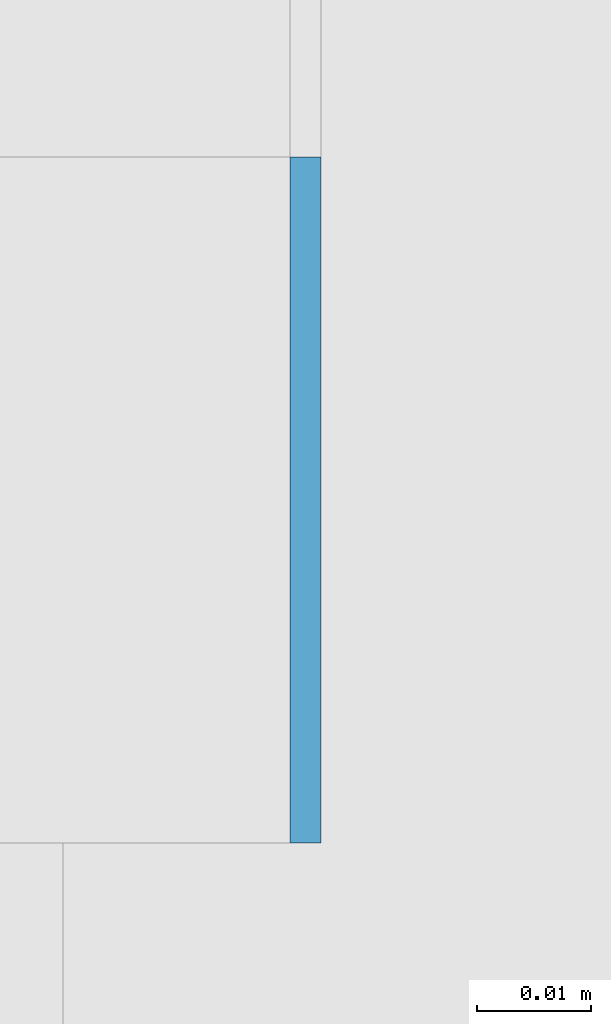
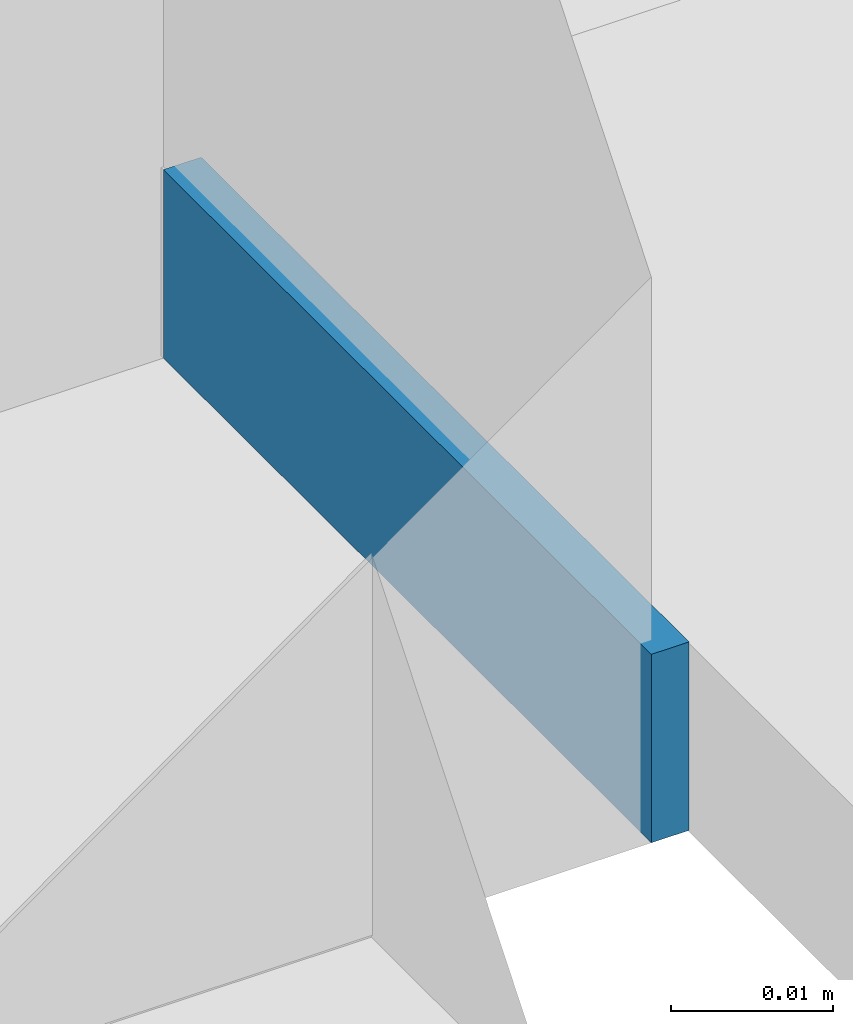
# One storey, part 380 of 646: 1 discrete accessory.
"""IFC4 building model written with IfcOpenShell, lengths in metres."""

from ifc_helpers import new_model, si_unit, direction, frame, origin, origin_2d, place, context, subcontext, project, spatial, rectangle, extrude, material, type_object, element, save


model = new_model("IFC4")

# Units and contexts
model_context = context("Model", 3, precision=1e-05, world=origin(), true_north=direction((0.0, 1.0)))
body_context = subcontext(model_context, "Body", "Model", "MODEL_VIEW")
ifc_project = project(units=[si_unit("LENGTHUNIT", "METRE"), si_unit("AREAUNIT", "SQUARE_METRE"), si_unit("VOLUMEUNIT", "CUBIC_METRE"), si_unit("PLANEANGLEUNIT", "RADIAN"), si_unit("MASSUNIT", "GRAM", prefix="KILO")], contexts=[model_context])

# Site, building, storey
site_placement = place(None, origin())
site = spatial("IfcSite", under=ifc_project, at=site_placement, CompositionType="ELEMENT")
building_placement = place(site_placement, origin())
building = spatial("IfcBuilding", under=site, at=building_placement, Name="Silverbay Arena", CompositionType="ELEMENT")
storey_placement = place(building_placement, frame((0.0, 0.0, 33.5)))
storey = spatial("IfcBuildingStorey", under=building, at=storey_placement, Name="L05", CompositionType="ELEMENT", Elevation=33.5)

# Discrete accessory
ifc_material = material(Name="Steel S355", Category="steel")
discrete_accessory_type = type_object("IfcDiscreteAccessoryType", Name="Steel bracket plate", PredefinedType="BRACKET", material=ifc_material)
discrete_accessory_placement = place(storey_placement, frame((53.871337890625, 107.969970703125, 4.0), z_axis=(0.0, 0.0, 1.0), x_axis=(1.0, 0.0, 0.0)))
element("IfcDiscreteAccessory", 1, at=discrete_accessory_placement, inside=storey, type_object=discrete_accessory_type, Name="Curtain wall packing plate", PredefinedType="BRACKET", context=body_context, shape_type="SweptSolid", body=[
    extrude(rectangle(XDim=0.002685546875, YDim=0.06005859375, at=origin_2d()), origin(), (0.0, 0.0, 1.0), 0.01416015625),
])

save(model, "model.ifc")
